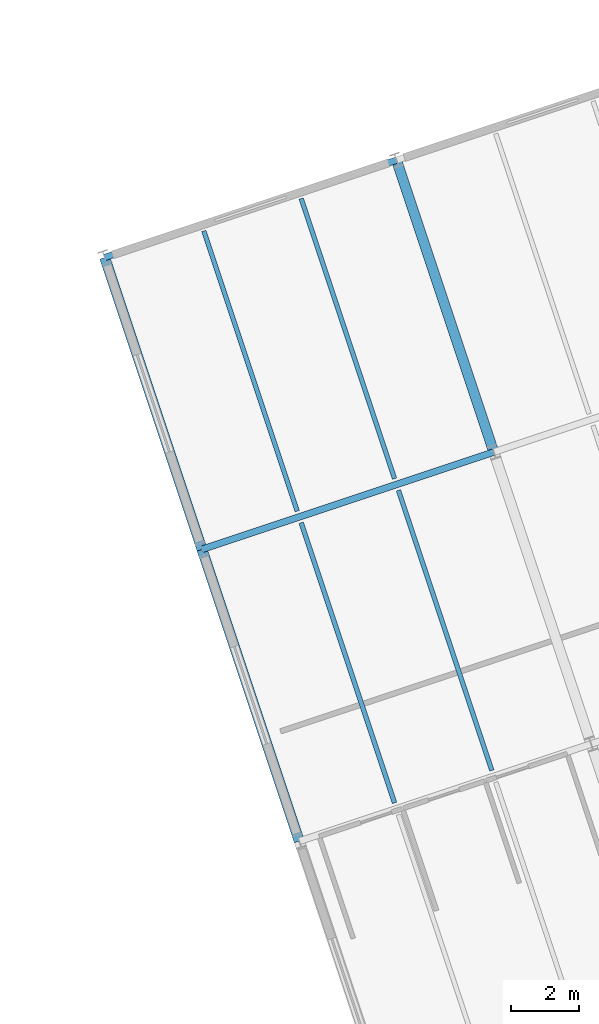
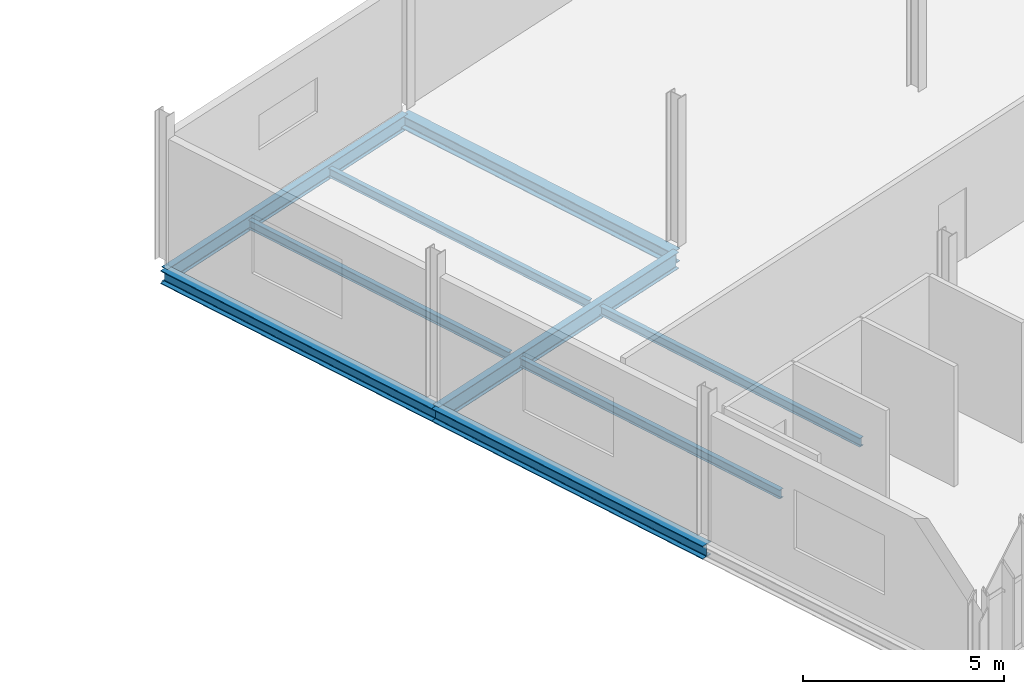
# One storey, part 27 of 152: 9 beams.
"""IFC4 building model written with IfcOpenShell, lengths in metres."""

from ifc_helpers import new_model, si_unit, derived_unit, direction, frame, origin, origin_2d, place, context, subcontext, project, spatial, i_section, extrude, material, material_profile, profile_set, type_object, element, save


model = new_model("IFC4")

# Units and contexts
model_context = context("Model", 3, precision=1e-05, world=origin(), true_north=direction((0.0, 1.0)))
body_context = subcontext(model_context, "Body", "Model", "MODEL_VIEW")
ifc_project = project(units=[si_unit("LENGTHUNIT", "METRE"), si_unit("AREAUNIT", "SQUARE_METRE"), si_unit("VOLUMEUNIT", "CUBIC_METRE"), si_unit("PLANEANGLEUNIT", "RADIAN"), si_unit("MASSUNIT", "GRAM", prefix="KILO"), si_unit("THERMODYNAMICTEMPERATUREUNIT", "KELVIN"), si_unit("TIMEUNIT", "SECOND"), derived_unit("THERMALTRANSMITTANCEUNIT", [(si_unit("MASSUNIT", "GRAM", prefix="KILO"), 1), (si_unit("THERMODYNAMICTEMPERATUREUNIT", "KELVIN"), -1), (si_unit("TIMEUNIT", "SECOND"), -3)])], contexts=[model_context])

# Site, building, storey
site_placement = place(None, origin())
site = spatial("IfcSite", under=ifc_project, at=site_placement, CompositionType="ELEMENT")
building_placement = place(site_placement, origin())
building = spatial("IfcBuilding", under=site, at=building_placement, Name="Cambertide Market Hall", CompositionType="ELEMENT")
storey_placement = place(building_placement, frame((0.0, 0.0, 5.39990234375)))
storey = spatial("IfcBuildingStorey", under=building, at=storey_placement, Name="L02", CompositionType="ELEMENT", Elevation=5.39990234375)

# Beams
ifc_material_1 = material(Name="Steel S355", Category="steel")
ifc_material_profile_1 = material_profile(ifc_material_1, i_section(OverallWidth=0.18994140625, OverallDepth=0.449951171875, WebThickness=0.009521484375, FlangeThickness=0.0146484375, FilletRadius=0.02099609375, at=origin_2d()), Name="IPE 450")
ifc_profile_set_1 = profile_set([ifc_material_profile_1], Name="Steel S355")
beam_type_1 = type_object("IfcBeamType", Name="Perimeter Spandrel Beam IPE 450", PredefinedType="SPANDREL", material=ifc_profile_set_1)
beam_1_placement = place(storey_placement, frame((97.4619140625, 37.614501953125, -0.474853515625), z_axis=(0.948686010717, 0.3162196279, 0.0), x_axis=(-0.3162196279, 0.948686010717, 0.0)))
element("IfcBeam", 1, at=beam_1_placement, inside=storey, type_object=beam_type_1, Name="Level 2 Spandrel BM-V3U-L02-1-4", PredefinedType="SPANDREL", context=body_context, shape_type="SweptSolid", body=[
    extrude(i_section(OverallWidth=0.18994140625, OverallDepth=0.449951171875, WebThickness=0.009521484375, FlangeThickness=0.0146484375, FilletRadius=0.02099609375, at=origin_2d()), origin(), (0.0, 0.0, 1.0), 9.0),
])
ifc_material_2 = material(Name="Steel S355", Category="steel")
ifc_material_profile_2 = material_profile(ifc_material_2, i_section(OverallWidth=0.300048828125, OverallDepth=0.39990234375, WebThickness=0.013427734375, FlangeThickness=0.02392578125, FilletRadius=0.027099609375, at=origin_2d()), Name="HEB 400")
ifc_profile_set_2 = profile_set([ifc_material_profile_2], Name="Steel S355")
beam_type_2 = type_object("IfcBeamType", Name="Steel Girder HEB 400", PredefinedType="BEAM", material=ifc_profile_set_2)
beam_2_placement = place(storey_placement, frame((103.154052734375, 20.5380859375, -0.449951171875), z_axis=(-0.316235903831, 0.948680585407, 0.0), x_axis=(-0.948680585407, -0.316235903831, 0.0)))
element("IfcBeam", 2, at=beam_2_placement, inside=storey, type_object=beam_type_2, Name="Level 2 Beam BM-V3V-L02-1-2", PredefinedType="BEAM", context=body_context, shape_type="SweptSolid", body=[
    extrude(i_section(OverallWidth=0.300048828125, OverallDepth=0.39990234375, WebThickness=0.013427734375, FlangeThickness=0.02392578125, FilletRadius=0.027099609375, at=origin_2d()), origin(), (0.0, 0.0, 1.0), 9.000244140625),
])
for number, where, z_axis, x_axis, name in (
    (3, (100.307861328125, 29.076416015625, -0.449951171875), (-0.3162196279, 0.948686010717, 0.0), (-0.948686010717, -0.3162196279, 0.0), "Level 2 Beam BM-V3V-L02-1-3"),
    (4, (108.845947265625, 31.92236328125, -0.449951171875), (-0.3162196279, 0.948686010717, 0.0), (-0.948686010717, -0.3162196279, 0.0), "Level 2 Beam BM-V3V-L02-2-3"),
):
    element("IfcBeam", number, at=place(storey_placement, frame(where, z_axis=z_axis, x_axis=x_axis)), inside=storey, type_object=beam_type_2, Name=name, PredefinedType="BEAM", context=body_context, shape_type="SweptSolid", body=[
        extrude(i_section(OverallWidth=0.300048828125, OverallDepth=0.39990234375, WebThickness=0.013427734375, FlangeThickness=0.02392578125, FilletRadius=0.027099609375, at=origin_2d()), origin(), (0.0, 0.0, 1.0), 9.0),
    ])
ifc_material_3 = material(Name="Steel S355", Category="steel")
ifc_material_profile_3 = material_profile(ifc_material_3, i_section(OverallWidth=0.199951171875, OverallDepth=0.5, WebThickness=0.01025390625, FlangeThickness=0.01611328125, FilletRadius=0.02099609375, at=origin_2d()), Name="IPE 500")
ifc_profile_set_3 = profile_set([ifc_material_profile_3], Name="Steel S355")
beam_type_3 = type_object("IfcBeamType", Name="Steel Girder IPE 500", PredefinedType="BEAM", material=ifc_profile_set_3)
beam_3_placement = place(storey_placement, frame((100.307861328125, 29.076416015625, -0.5), z_axis=(0.948686010717, 0.3162196279, 0.0), x_axis=(-0.3162196279, 0.948686010717, 0.0)))
element("IfcBeam", 5, at=beam_3_placement, inside=storey, type_object=beam_type_3, Name="Level 2 Beam BM-V3U-L02-1-3", PredefinedType="BEAM", context=body_context, shape_type="SweptSolid", body=[
    extrude(i_section(OverallWidth=0.199951171875, OverallDepth=0.5, WebThickness=0.01025390625, FlangeThickness=0.01611328125, FilletRadius=0.02099609375, at=origin_2d()), origin(), (0.0, 0.0, 1.0), 9.0),
])
ifc_material_4 = material(Name="Steel S275", Category="steel")
ifc_material_profile_4 = material_profile(ifc_material_4, i_section(OverallWidth=0.135009765625, OverallDepth=0.27001953125, WebThickness=0.006591796875, FlangeThickness=0.01025390625, FilletRadius=0.014892578125, at=origin_2d()), Name="IPE 270")
ifc_profile_set_4 = profile_set([ifc_material_profile_4], Name="Steel S275")
beam_type_4 = type_object("IfcBeamType", Name="Steel Secondary Joist IPE 270", PredefinedType="JOIST", material=ifc_profile_set_4)
beam_4_placement = place(storey_placement, frame((105.943115234375, 21.65771484375, -0.385009765625), z_axis=(-0.316227766017, 0.948683298051, 0.0), x_axis=(-0.948683298051, -0.316227766017, 0.0)))
element("IfcBeam", 6, at=beam_4_placement, inside=storey, type_object=beam_type_4, Name="Level 2 Joist JS-V3-L02-1-2-1", PredefinedType="JOIST", context=body_context, shape_type="SweptSolid", body=[
    extrude(i_section(OverallWidth=0.135009765625, OverallDepth=0.27001953125, WebThickness=0.006591796875, FlangeThickness=0.01025390625, FilletRadius=0.014892578125, at=origin_2d()), origin(), (0.0, 0.0, 1.0), 8.639892578125),
])
beam_5_placement = place(storey_placement, frame((108.7890625, 22.606201171875, -0.385009765625), z_axis=(-0.316219289033, 0.94868612367, 0.0), x_axis=(-0.94868612367, -0.316219289033, 0.0)))
element("IfcBeam", 7, at=beam_5_placement, inside=storey, type_object=beam_type_4, Name="Level 2 Joist JS-V3-L02-1-2-2", PredefinedType="JOIST", context=body_context, shape_type="SweptSolid", body=[
    extrude(i_section(OverallWidth=0.135009765625, OverallDepth=0.27001953125, WebThickness=0.006591796875, FlangeThickness=0.01025390625, FilletRadius=0.014892578125, at=origin_2d()), origin(), (0.0, 0.0, 1.0), 8.64013671875),
])
for number, where, z_axis, x_axis, name in (
    (8, (103.096923828125, 30.19580078125, -0.385009765625), (-0.316227766017, 0.948683298051, 0.0), (-0.948683298051, -0.316227766017, 0.0), "Level 2 Joist JS-V3-L02-1-3-1"),
    (9, (105.943115234375, 31.14453125, -0.385009765625), (-0.316227766017, 0.948683298051, 0.0), (-0.948683298051, -0.316227766017, 0.0), "Level 2 Joist JS-V3-L02-1-3-2"),
):
    element("IfcBeam", number, at=place(storey_placement, frame(where, z_axis=z_axis, x_axis=x_axis)), inside=storey, type_object=beam_type_4, Name=name, PredefinedType="JOIST", context=body_context, shape_type="SweptSolid", body=[
        extrude(i_section(OverallWidth=0.135009765625, OverallDepth=0.27001953125, WebThickness=0.006591796875, FlangeThickness=0.01025390625, FilletRadius=0.014892578125, at=origin_2d()), origin(), (0.0, 0.0, 1.0), 8.639892578125),
    ])

save(model, "model.ifc")
